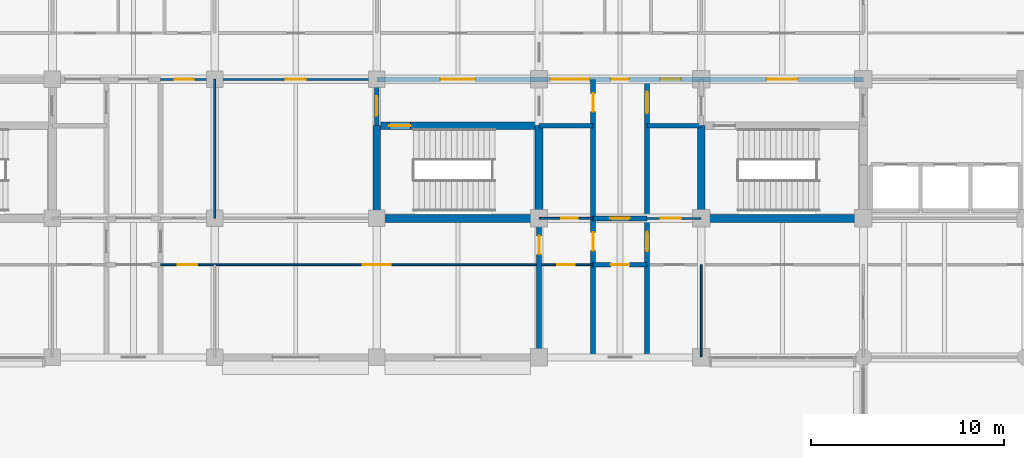
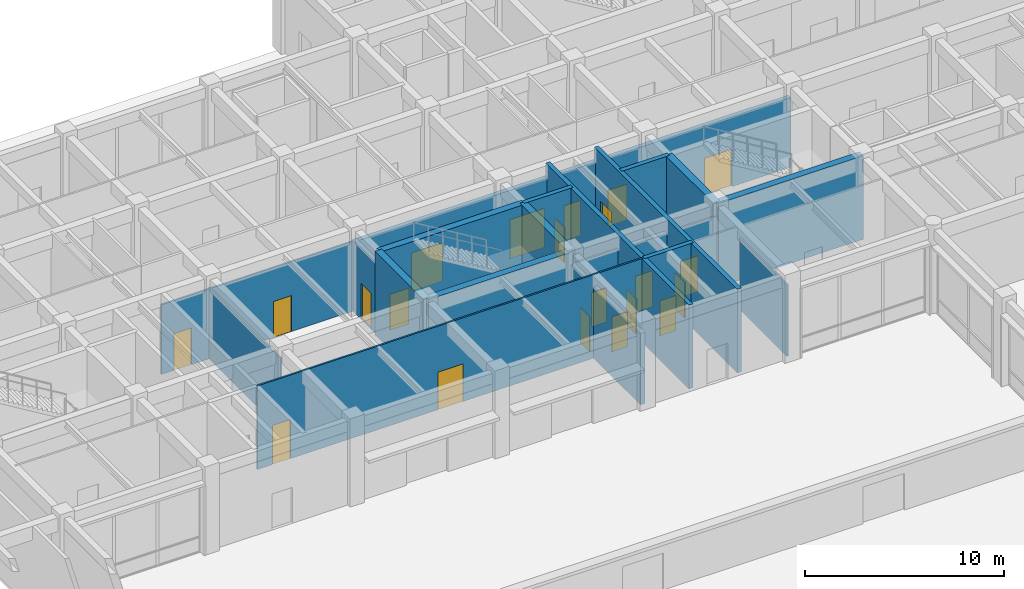
# One storey, part 42 of 73: 21 doors, 21 walls, 21 openings.
"""IFC4 building model written with IfcOpenShell, lengths in metres."""

from ifc_helpers import new_model, si_unit, direction, frame, frame_2d, origin, place, context, subcontext, project, spatial, rectangle, extrude, material, layer, layer_set, type_object, element, fill, save


model = new_model("IFC4")

# Units and contexts
model_context = context("Model", 3, precision=1e-05, world=origin(), true_north=direction((0.0, 1.0)))
body_context = subcontext(model_context, "Body", "Model", "MODEL_VIEW")
ifc_project = project(units=[si_unit("LENGTHUNIT", "METRE"), si_unit("AREAUNIT", "SQUARE_METRE"), si_unit("VOLUMEUNIT", "CUBIC_METRE"), si_unit("PLANEANGLEUNIT", "RADIAN"), si_unit("MASSUNIT", "GRAM", prefix="KILO")], contexts=[model_context])

# Site, building, storey
site_placement = place(None, origin())
site = spatial("IfcSite", under=ifc_project, at=site_placement, CompositionType="ELEMENT")
building_placement = place(site_placement, origin())
building = spatial("IfcBuilding", under=site, at=building_placement, Name="Chengyuan Square Courthouse", CompositionType="ELEMENT")
storey_placement = place(building_placement, origin())
storey = spatial("IfcBuildingStorey", under=building, at=storey_placement, Name="L01", CompositionType="ELEMENT", Elevation=0.0)

# Wall, opening, door
ifc_material_1 = material(Name="Concrete C40", Category="concrete")
ifc_layer_1 = layer(ifc_material_1, 0.25)
ifc_layer_set_1 = layer_set([ifc_layer_1], Name="Concrete C40")
wall_type_1 = type_object("IfcWallType", Name="WL-FW1", PredefinedType="STANDARD", material=ifc_layer_set_1)
wall_1_placement = place(storey_placement, frame((53.199951171875, 84.0, 0.0), z_axis=(0.0, 0.0, 1.0), x_axis=(1.0, 0.0, 0.0)))
wall_1 = element("IfcWall", 1, at=wall_1_placement, inside=storey, type_object=wall_type_1, Name="Interior Wall WL-L01-I674", PredefinedType="STANDARD", context=body_context, shape_type="SweptSolid", body=[
    extrude(rectangle(XDim=2.800048828125, YDim=0.25, at=frame_2d((1.39990234375, 0.0))), origin(), (0.0, 0.0, 1.0), 5.1201171875),
])
opening_1_placement = place(wall_1_placement, frame((0.925048828125, 0.0, 0.0)))
opening_1 = element("IfcOpeningElement", 2, at=opening_1_placement, cuts=wall_1, Name="Opening DR-919", PredefinedType="OPENING", context=body_context, shape_type="SweptSolid", body=[
    extrude(rectangle(XDim=0.949951171875, YDim=2.14990234375, at=frame_2d((0.47509765625, 1.074951171875))), frame((0.0, 0.136962890625, 0.0), z_axis=(0.0, -1.0, 0.0), x_axis=(1.0, 0.0, 0.0)), (0.0, 0.0, 1.0), 0.27392578125),
])
ifc_material_2 = material(Name="Steel Q235B Fire Door", Category="steel")
door_type_1 = type_object("IfcDoorType", Name="DT-12", OperationType="NOTDEFINED", PredefinedType="DOOR", material=ifc_material_2)
door_1_placement = place(opening_1_placement, origin())
door_1 = element("IfcDoor", 3, at=door_1_placement, inside=storey, type_object=door_type_1, Name="Interior Door DR-919", OperationType="SINGLE_SWING_RIGHT", OverallHeight=2.14990234375, OverallWidth=0.949951171875, PredefinedType="DOOR", context=body_context, shape_type="SweptSolid", body=[
    extrude(rectangle(XDim=0.949951171875, YDim=2.14990234375, at=frame_2d((0.47509765625, 1.074951171875))), frame((0.0, 0.02490234375, 0.0), z_axis=(0.0, -1.0, 0.0), x_axis=(1.0, 0.0, 0.0)), (0.0, 0.0, 1.0), 0.050048828125),
])
fill(opening_1, door_1)

wall_2_placement = place(storey_placement, frame((53.199951171875, 86.39990234375, 0.0), z_axis=(0.0, 0.0, 1.0), x_axis=(1.0, 0.0, 0.0)))
wall_2 = element("IfcWall", 4, at=wall_2_placement, inside=storey, type_object=wall_type_1, Name="Interior Wall WL-L01-I687", PredefinedType="STANDARD", context=body_context, shape_type="SweptSolid", body=[
    extrude(rectangle(XDim=2.800048828125, YDim=0.25, at=frame_2d((1.39990234375, 0.0))), origin(), (0.0, 0.0, 1.0), 4.27001953125),
])
opening_2_placement = place(wall_2_placement, frame((0.89990234375, 0.0, 0.0)))
opening_2 = element("IfcOpeningElement", 5, at=opening_2_placement, cuts=wall_2, Name="Opening DR-870", PredefinedType="OPENING", context=body_context, shape_type="SweptSolid", body=[
    extrude(rectangle(XDim=1.0, YDim=2.199951171875, at=frame_2d((0.5, 1.10009765625))), frame((0.0, 0.136962890625, 0.0), z_axis=(0.0, -1.0, 0.0), x_axis=(1.0, 0.0, 0.0)), (0.0, 0.0, 1.0), 0.27392578125),
])
door_type_2 = type_object("IfcDoorType", Name="DT-11", OperationType="NOTDEFINED", PredefinedType="DOOR", material=ifc_material_2)
door_2_placement = place(opening_2_placement, origin())
door_2 = element("IfcDoor", 6, at=door_2_placement, inside=storey, type_object=door_type_2, Name="Interior Door DR-870", OperationType="SINGLE_SWING_LEFT", OverallHeight=2.199951171875, OverallWidth=1.0, PredefinedType="DOOR", context=body_context, shape_type="SweptSolid", body=[
    extrude(rectangle(XDim=1.0, YDim=2.199951171875, at=frame_2d((0.5, 1.10009765625))), frame((0.0, 0.02490234375, 0.0), z_axis=(0.0, -1.0, 0.0), x_axis=(1.0, 0.0, 0.0)), (0.0, 0.0, 1.0), 0.050048828125),
])
fill(opening_2, door_2)

# Walls
for number, where, z_axis, x_axis, name in (
    (7, (50.39990234375, 91.199951171875, 0.0), (0.0, 0.0, 1.0), (1.0, 0.0, 0.0), "Interior Wall WL-L01-I715"),
    (8, (56.0, 91.199951171875, 0.0), (0.0, 0.0, 1.0), (1.0, 0.0, 0.0), "Interior Wall WL-L01-I716"),
):
    element("IfcWall", number, at=place(storey_placement, frame(where, z_axis=z_axis, x_axis=x_axis)), inside=storey, type_object=wall_type_1, Name=name, PredefinedType="STANDARD", context=body_context, shape_type="SweptSolid", body=[
        extrude(rectangle(XDim=2.800048828125, YDim=0.25, at=frame_2d((1.39990234375, 0.0))), origin(), (0.0, 0.0, 1.0), 5.1201171875),
    ])

# Wall, openings, doors
wall_3_placement = place(storey_placement, frame((42.0, 93.60009765625, 0.0), z_axis=(0.0, 0.0, 1.0), x_axis=(1.0, 0.0, 0.0)))
wall_3 = element("IfcWall", 9, at=wall_3_placement, inside=storey, type_object=wall_type_1, Name="Interior Wall WL-L01-I728", PredefinedType="STANDARD", context=body_context, shape_type="SweptSolid", body=[
    extrude(rectangle(XDim=25.199951171875, YDim=0.25, at=frame_2d((12.60009765625, 0.0))), origin(), (0.0, 0.0, 1.0), 4.27001953125),
])
opening_3_placement = place(wall_3_placement, frame((20.199951171875, 0.0, 0.0)))
opening_3 = element("IfcOpeningElement", 10, at=opening_3_placement, cuts=wall_3, Name="Opening DR-675", PredefinedType="OPENING", context=body_context, shape_type="SweptSolid", body=[
    extrude(rectangle(XDim=1.60009765625, YDim=2.300048828125, at=frame_2d((0.800048828125, 1.14990234375))), frame((0.0, 0.136962890625, 0.0), z_axis=(0.0, -1.0, 0.0), x_axis=(1.0, 0.0, 0.0)), (0.0, 0.0, 1.0), 0.27392578125),
])
opening_4_placement = place(wall_3_placement, frame((3.28759765625, 0.0, 0.0)))
opening_4 = element("IfcOpeningElement", 11, at=opening_4_placement, cuts=wall_3, Name="Opening DR-680", PredefinedType="OPENING", context=body_context, shape_type="SweptSolid", body=[
    extrude(rectangle(XDim=1.800048828125, YDim=2.35009765625, at=frame_2d((0.89990234375, 1.175048828125))), frame((0.0, 0.136962890625, 0.0), z_axis=(0.0, -1.0, 0.0), x_axis=(1.0, 0.0, 0.0)), (0.0, 0.0, 1.0), 0.27392578125),
])
opening_5_placement = place(wall_3_placement, frame((8.985107421875, 0.0, 0.0)))
opening_5 = element("IfcOpeningElement", 12, at=opening_5_placement, cuts=wall_3, Name="Opening DR-810", PredefinedType="OPENING", context=body_context, shape_type="SweptSolid", body=[
    extrude(rectangle(XDim=2.0, YDim=2.39990234375, at=frame_2d((1.0, 1.199951171875))), frame((0.0, 0.136962890625, 0.0), z_axis=(0.0, -1.0, 0.0), x_axis=(1.0, 0.0, 0.0)), (0.0, 0.0, 1.0), 0.27392578125),
])
opening_6_placement = place(wall_3_placement, frame((12.125, 0.0, 0.0)))
opening_6 = element("IfcOpeningElement", 13, at=opening_6_placement, cuts=wall_3, Name="Opening DR-811", PredefinedType="OPENING", context=body_context, shape_type="SweptSolid", body=[
    extrude(rectangle(XDim=0.949951171875, YDim=2.14990234375, at=frame_2d((0.47509765625, 1.074951171875))), frame((0.0, 0.136962890625, 0.0), z_axis=(0.0, -1.0, 0.0), x_axis=(1.0, 0.0, 0.0)), (0.0, 0.0, 1.0), 0.27392578125),
])
opening_7_placement = place(wall_3_placement, frame((14.6650390625, 0.0, 0.0)))
opening_7 = element("IfcOpeningElement", 14, at=opening_7_placement, cuts=wall_3, Name="Opening DR-812", PredefinedType="OPENING", context=body_context, shape_type="SweptSolid", body=[
    extrude(rectangle(XDim=1.10009765625, YDim=2.199951171875, at=frame_2d((0.550048828125, 1.10009765625))), frame((0.0, 0.136962890625, 0.0), z_axis=(0.0, -1.0, 0.0), x_axis=(1.0, 0.0, 0.0)), (0.0, 0.0, 1.0), 0.27392578125),
])
door_type_3 = type_object("IfcDoorType", Name="DT-10", OperationType="NOTDEFINED", PredefinedType="DOOR", material=ifc_material_2)
door_3_placement = place(opening_7_placement, origin())
door_3 = element("IfcDoor", 15, at=door_3_placement, inside=storey, type_object=door_type_3, Name="Interior Door DR-812", OperationType="SINGLE_SWING_RIGHT", OverallHeight=2.199951171875, OverallWidth=1.10009765625, PredefinedType="DOOR", context=body_context, shape_type="SweptSolid", body=[
    extrude(rectangle(XDim=1.10009765625, YDim=2.199951171875, at=frame_2d((0.550048828125, 1.10009765625))), frame((0.0, 0.02490234375, 0.0), z_axis=(0.0, -1.0, 0.0), x_axis=(1.0, 0.0, 0.0)), (0.0, 0.0, 1.0), 0.050048828125),
])
fill(opening_7, door_3)
door_4_placement = place(opening_6_placement, origin())
door_4 = element("IfcDoor", 16, at=door_4_placement, inside=storey, type_object=door_type_1, Name="Interior Door DR-811", OperationType="SINGLE_SWING_LEFT", OverallHeight=2.14990234375, OverallWidth=0.949951171875, PredefinedType="DOOR", context=body_context, shape_type="SweptSolid", body=[
    extrude(rectangle(XDim=0.949951171875, YDim=2.14990234375, at=frame_2d((0.47509765625, 1.074951171875))), frame((0.0, 0.02490234375, 0.0), z_axis=(0.0, -1.0, 0.0), x_axis=(1.0, 0.0, 0.0)), (0.0, 0.0, 1.0), 0.050048828125),
])
fill(opening_6, door_4)
ifc_material_3 = material(Name="Steel Q235B Glazed Fire Door", Category="steel")
door_type_4 = type_object("IfcDoorType", Name="DT-17", OperationType="DOUBLE_DOOR_SINGLE_SWING", PredefinedType="DOOR", material=ifc_material_3)
door_5_placement = place(opening_3_placement, frame((1.60009765625, 0.0, 0.0), z_axis=(0.0, 0.0, 1.0), x_axis=(-1.0, 0.0, 0.0)))
door_5 = element("IfcDoor", 17, at=door_5_placement, inside=storey, type_object=door_type_4, Name="Interior Door DR-675", OperationType="DOUBLE_DOOR_SINGLE_SWING", OverallHeight=2.300048828125, OverallWidth=1.60009765625, PredefinedType="DOOR", context=body_context, shape_type="SweptSolid", body=[
    extrude(rectangle(XDim=1.60009765625, YDim=2.300048828125, at=frame_2d((0.800048828125, 1.14990234375))), frame((0.0, 0.02490234375, 0.0), z_axis=(0.0, -1.0, 0.0), x_axis=(1.0, 0.0, 0.0)), (0.0, 0.0, 1.0), 0.050048828125),
])
fill(opening_3, door_5)
door_type_5 = type_object("IfcDoorType", Name="DT-18", OperationType="DOUBLE_DOOR_SINGLE_SWING", PredefinedType="DOOR", material=ifc_material_3)
door_6_placement = place(opening_4_placement, frame((1.800048828125, 0.0, 0.0), z_axis=(0.0, 0.0, 1.0), x_axis=(-1.0, 0.0, 0.0)))
door_6 = element("IfcDoor", 18, at=door_6_placement, inside=storey, type_object=door_type_5, Name="Interior Door DR-680", OperationType="DOUBLE_DOOR_SINGLE_SWING", OverallHeight=2.35009765625, OverallWidth=1.800048828125, PredefinedType="DOOR", context=body_context, shape_type="SweptSolid", body=[
    extrude(rectangle(XDim=1.800048828125, YDim=2.35009765625, at=frame_2d((0.89990234375, 1.175048828125))), frame((0.0, 0.02490234375, 0.0), z_axis=(0.0, -1.0, 0.0), x_axis=(1.0, 0.0, 0.0)), (0.0, 0.0, 1.0), 0.050048828125),
])
fill(opening_4, door_6)
door_type_6 = type_object("IfcDoorType", Name="DT-20", OperationType="DOUBLE_DOOR_SINGLE_SWING", PredefinedType="DOOR", material=ifc_material_3)
door_7_placement = place(opening_5_placement, frame((2.0, 0.0, 0.0), z_axis=(0.0, 0.0, 1.0), x_axis=(-1.0, 0.0, 0.0)))
door_7 = element("IfcDoor", 19, at=door_7_placement, inside=storey, type_object=door_type_6, Name="Interior Door DR-810", OperationType="DOUBLE_DOOR_SINGLE_SWING", OverallHeight=2.39990234375, OverallWidth=2.0, PredefinedType="DOOR", context=body_context, shape_type="SweptSolid", body=[
    extrude(rectangle(XDim=2.0, YDim=2.39990234375, at=frame_2d((1.0, 1.199951171875))), frame((0.0, 0.02490234375, 0.0), z_axis=(0.0, -1.0, 0.0), x_axis=(1.0, 0.0, 0.0)), (0.0, 0.0, 1.0), 0.050048828125),
])
fill(opening_5, door_7)

# Wall, opening, door
wall_4_placement = place(storey_placement, frame((42.0, 91.199951171875, 0.0), z_axis=(0.0, 0.0, 1.0), x_axis=(0.0, 1.0, 0.0)))
wall_4 = element("IfcWall", 20, at=wall_4_placement, inside=storey, type_object=wall_type_1, Name="Interior Wall WL-L01-I857", PredefinedType="STANDARD", context=body_context, shape_type="SweptSolid", body=[
    extrude(rectangle(XDim=2.400146484375, YDim=0.25, at=frame_2d((1.2001953125, 0.0))), origin(), (0.0, 0.0, 1.0), 4.3701171875),
])
opening_8_placement = place(wall_4_placement, frame((0.527587890625, 0.0, 0.0)))
opening_8 = element("IfcOpeningElement", 21, at=opening_8_placement, cuts=wall_4, Name="Opening DR-681", PredefinedType="OPENING", context=body_context, shape_type="SweptSolid", body=[
    extrude(rectangle(XDim=1.0, YDim=2.199951171875, at=frame_2d((0.5, 1.10009765625))), frame((0.0, 0.136962890625, 0.0), z_axis=(0.0, -1.0, 0.0), x_axis=(1.0, 0.0, 0.0)), (0.0, 0.0, 1.0), 0.27392578125),
])
door_8_placement = place(opening_8_placement, origin())
door_8 = element("IfcDoor", 22, at=door_8_placement, inside=storey, type_object=door_type_2, Name="Interior Door DR-681", OperationType="SINGLE_SWING_LEFT", OverallHeight=2.199951171875, OverallWidth=1.0, PredefinedType="DOOR", context=body_context, shape_type="SweptSolid", body=[
    extrude(rectangle(XDim=1.0, YDim=2.199951171875, at=frame_2d((0.5, 1.10009765625))), frame((0.0, 0.02490234375, 0.0), z_axis=(0.0, -1.0, 0.0), x_axis=(1.0, 0.0, 0.0)), (0.0, 0.0, 1.0), 0.050048828125),
])
fill(opening_8, door_8)

wall_5_placement = place(storey_placement, frame((50.39990234375, 79.239990234375, 0.0), z_axis=(0.0, 0.0, 1.0), x_axis=(0.0, 1.0, 0.0)))
wall_5 = element("IfcWall", 23, at=wall_5_placement, inside=storey, type_object=wall_type_1, Name="Interior Wall WL-L01-I865", PredefinedType="STANDARD", context=body_context, shape_type="SweptSolid", body=[
    extrude(rectangle(XDim=7.159912109375, YDim=0.25, at=frame_2d((3.580078125, 0.0))), origin(), (0.0, 0.0, 1.0), 4.3701171875),
])
opening_9_placement = place(wall_5_placement, frame((5.300048828125, 0.0, 0.0)))
opening_9 = element("IfcOpeningElement", 24, at=opening_9_placement, cuts=wall_5, Name="Opening DR-913", PredefinedType="OPENING", context=body_context, shape_type="SweptSolid", body=[
    extrude(rectangle(XDim=0.949951171875, YDim=2.14990234375, at=frame_2d((0.47509765625, 1.074951171875))), frame((0.0, 0.136962890625, 0.0), z_axis=(0.0, -1.0, 0.0), x_axis=(1.0, 0.0, 0.0)), (0.0, 0.0, 1.0), 0.27392578125),
])
door_9_placement = place(opening_9_placement, origin())
door_9 = element("IfcDoor", 25, at=door_9_placement, inside=storey, type_object=door_type_1, Name="Interior Door DR-913", OperationType="SINGLE_SWING_LEFT", OverallHeight=2.14990234375, OverallWidth=0.949951171875, PredefinedType="DOOR", context=body_context, shape_type="SweptSolid", body=[
    extrude(rectangle(XDim=0.949951171875, YDim=2.14990234375, at=frame_2d((0.47509765625, 1.074951171875))), frame((0.0, 0.02490234375, 0.0), z_axis=(0.0, -1.0, 0.0), x_axis=(1.0, 0.0, 0.0)), (0.0, 0.0, 1.0), 0.050048828125),
])
fill(opening_9, door_9)

# Wall, openings, doors
wall_6_placement = place(storey_placement, frame((53.199951171875, 79.239990234375, 0.0), z_axis=(0.0, 0.0, 1.0), x_axis=(0.0, 1.0, 0.0)))
wall_6 = element("IfcWall", 26, at=wall_6_placement, inside=storey, type_object=wall_type_1, Name="Interior Wall WL-L01-I870", PredefinedType="STANDARD", context=body_context, shape_type="SweptSolid", body=[
    extrude(rectangle(XDim=14.360107421875, YDim=0.25, at=frame_2d((7.18017578125, 0.0))), origin(), (0.0, 0.0, 1.0), 5.1201171875),
])
opening_10_placement = place(wall_6_placement, frame((12.68505859375, 0.0, 0.0)))
opening_10 = element("IfcOpeningElement", 27, at=opening_10_placement, cuts=wall_6, Name="Opening DR-868", PredefinedType="OPENING", context=body_context, shape_type="SweptSolid", body=[
    extrude(rectangle(XDim=0.949951171875, YDim=2.14990234375, at=frame_2d((0.47509765625, 1.074951171875))), frame((0.0, 0.136962890625, 0.0), z_axis=(0.0, -1.0, 0.0), x_axis=(1.0, 0.0, 0.0)), (0.0, 0.0, 1.0), 0.27392578125),
])
opening_11_placement = place(wall_6_placement, frame((5.485107421875, 0.0, 0.0)))
opening_11 = element("IfcOpeningElement", 28, at=opening_11_placement, cuts=wall_6, Name="Opening DR-916", PredefinedType="OPENING", context=body_context, shape_type="SweptSolid", body=[
    extrude(rectangle(XDim=0.949951171875, YDim=2.14990234375, at=frame_2d((0.47509765625, 1.074951171875))), frame((0.0, 0.136962890625, 0.0), z_axis=(0.0, -1.0, 0.0), x_axis=(1.0, 0.0, 0.0)), (0.0, 0.0, 1.0), 0.27392578125),
])
door_10_placement = place(opening_10_placement, origin())
door_10 = element("IfcDoor", 29, at=door_10_placement, inside=storey, type_object=door_type_1, Name="Interior Door DR-868", OperationType="SINGLE_SWING_LEFT", OverallHeight=2.14990234375, OverallWidth=0.949951171875, PredefinedType="DOOR", context=body_context, shape_type="SweptSolid", body=[
    extrude(rectangle(XDim=0.949951171875, YDim=2.14990234375, at=frame_2d((0.47509765625, 1.074951171875))), frame((0.0, 0.02490234375, 0.0), z_axis=(0.0, -1.0, 0.0), x_axis=(1.0, 0.0, 0.0)), (0.0, 0.0, 1.0), 0.050048828125),
])
fill(opening_10, door_10)
door_11_placement = place(opening_11_placement, origin())
door_11 = element("IfcDoor", 30, at=door_11_placement, inside=storey, type_object=door_type_1, Name="Interior Door DR-916", OperationType="SINGLE_SWING_LEFT", OverallHeight=2.14990234375, OverallWidth=0.949951171875, PredefinedType="DOOR", context=body_context, shape_type="SweptSolid", body=[
    extrude(rectangle(XDim=0.949951171875, YDim=2.14990234375, at=frame_2d((0.47509765625, 1.074951171875))), frame((0.0, 0.02490234375, 0.0), z_axis=(0.0, -1.0, 0.0), x_axis=(1.0, 0.0, 0.0)), (0.0, 0.0, 1.0), 0.050048828125),
])
fill(opening_11, door_11)

wall_7_placement = place(storey_placement, frame((56.0, 79.239990234375, 0.0), z_axis=(0.0, 0.0, 1.0), x_axis=(0.0, 1.0, 0.0)))
wall_7 = element("IfcWall", 31, at=wall_7_placement, inside=storey, type_object=wall_type_1, Name="Interior Wall WL-L01-I875", PredefinedType="STANDARD", context=body_context, shape_type="SweptSolid", body=[
    extrude(rectangle(XDim=14.360107421875, YDim=0.25, at=frame_2d((7.18017578125, 0.0))), origin(), (0.0, 0.0, 1.0), 5.1201171875),
])
opening_12_placement = place(wall_7_placement, frame((12.610107421875, 0.0, 0.0)))
opening_12 = element("IfcOpeningElement", 32, at=opening_12_placement, cuts=wall_7, Name="Opening DR-869", PredefinedType="OPENING", context=body_context, shape_type="SweptSolid", body=[
    extrude(rectangle(XDim=1.10009765625, YDim=2.199951171875, at=frame_2d((0.550048828125, 1.10009765625))), frame((0.0, 0.136962890625, 0.0), z_axis=(0.0, -1.0, 0.0), x_axis=(1.0, 0.0, 0.0)), (0.0, 0.0, 1.0), 0.27392578125),
])
opening_13_placement = place(wall_7_placement, frame((5.4599609375, 0.0, 0.0)))
opening_13 = element("IfcOpeningElement", 33, at=opening_13_placement, cuts=wall_7, Name="Opening DR-918", PredefinedType="OPENING", context=body_context, shape_type="SweptSolid", body=[
    extrude(rectangle(XDim=1.0, YDim=2.199951171875, at=frame_2d((0.5, 1.10009765625))), frame((0.0, 0.136962890625, 0.0), z_axis=(0.0, -1.0, 0.0), x_axis=(1.0, 0.0, 0.0)), (0.0, 0.0, 1.0), 0.27392578125),
])
door_12_placement = place(opening_12_placement, origin())
door_12 = element("IfcDoor", 34, at=door_12_placement, inside=storey, type_object=door_type_3, Name="Interior Door DR-869", OperationType="SINGLE_SWING_RIGHT", OverallHeight=2.199951171875, OverallWidth=1.10009765625, PredefinedType="DOOR", context=body_context, shape_type="SweptSolid", body=[
    extrude(rectangle(XDim=1.10009765625, YDim=2.199951171875, at=frame_2d((0.550048828125, 1.10009765625))), frame((0.0, 0.02490234375, 0.0), z_axis=(0.0, -1.0, 0.0), x_axis=(1.0, 0.0, 0.0)), (0.0, 0.0, 1.0), 0.050048828125),
])
fill(opening_12, door_12)
door_13_placement = place(opening_13_placement, origin())
door_13 = element("IfcDoor", 35, at=door_13_placement, inside=storey, type_object=door_type_2, Name="Interior Door DR-918", OperationType="SINGLE_SWING_LEFT", OverallHeight=2.199951171875, OverallWidth=1.0, PredefinedType="DOOR", context=body_context, shape_type="SweptSolid", body=[
    extrude(rectangle(XDim=1.0, YDim=2.199951171875, at=frame_2d((0.5, 1.10009765625))), frame((0.0, 0.02490234375, 0.0), z_axis=(0.0, -1.0, 0.0), x_axis=(1.0, 0.0, 0.0)), (0.0, 0.0, 1.0), 0.050048828125),
])
fill(opening_13, door_13)

ifc_material_4 = material(Name="Gypsum Plasterboard Acoustic Stud Partition")
ifc_layer_2 = layer(ifc_material_4, 0.10009765625)
ifc_layer_set_2 = layer_set([ifc_layer_2], Name="Gypsum Plasterboard Acoustic Stud Partition")
wall_type_2 = type_object("IfcWallType", Name="WL-PT6", PredefinedType="STANDARD", material=ifc_layer_set_2)
wall_8_placement = place(storey_placement, frame((30.800048828125, 84.0, 0.0), z_axis=(0.0, 0.0, 1.0), x_axis=(1.0, 0.0, 0.0)))
wall_8 = element("IfcWall", 36, at=wall_8_placement, inside=storey, type_object=wall_type_2, Name="Interior Wall WL-L01-I673", PredefinedType="STANDARD", context=body_context, shape_type="SweptSolid", body=[
    extrude(rectangle(XDim=22.39990234375, YDim=0.10009765625, at=frame_2d((11.199951171875, 0.0))), origin(), (0.0, 0.0, 1.0), 5.1201171875),
])
opening_14_placement = place(wall_8_placement, frame((0.889892578125, 0.0, 0.0)))
opening_14 = element("IfcOpeningElement", 37, at=opening_14_placement, cuts=wall_8, Name="Opening DR-914", PredefinedType="OPENING", context=body_context, shape_type="SweptSolid", body=[
    extrude(rectangle(XDim=1.02001953125, YDim=2.39990234375, at=frame_2d((0.510009765625, 1.199951171875))), frame((0.0, 0.06201171875, 0.0), z_axis=(0.0, -1.0, 0.0), x_axis=(1.0, 0.0, 0.0)), (0.0, 0.0, 1.0), 0.1240234375),
])
opening_15_placement = place(wall_8_placement, frame((10.47509765625, 0.0, 0.0)))
opening_15 = element("IfcOpeningElement", 38, at=opening_15_placement, cuts=wall_8, Name="Opening DR-915", PredefinedType="OPENING", context=body_context, shape_type="SweptSolid", body=[
    extrude(rectangle(XDim=1.449951171875, YDim=2.300048828125, at=frame_2d((0.72509765625, 1.14990234375))), frame((0.0, 0.06201171875, 0.0), z_axis=(0.0, -1.0, 0.0), x_axis=(1.0, 0.0, 0.0)), (0.0, 0.0, 1.0), 0.1240234375),
])
opening_16_placement = place(wall_8_placement, frame((20.550048828125, 0.0, 0.0)))
opening_16 = element("IfcOpeningElement", 39, at=opening_16_placement, cuts=wall_8, Name="Opening DR-917", PredefinedType="OPENING", context=body_context, shape_type="SweptSolid", body=[
    extrude(rectangle(XDim=0.89990234375, YDim=2.14990234375, at=frame_2d((0.449951171875, 1.074951171875))), frame((0.0, 0.06201171875, 0.0), z_axis=(0.0, -1.0, 0.0), x_axis=(1.0, 0.0, 0.0)), (0.0, 0.0, 1.0), 0.1240234375),
])
ifc_material_5 = material(Name="Acoustic Larch Veneer Double Door")
door_type_7 = type_object("IfcDoorType", Name="DT-25", OperationType="DOUBLE_DOOR_SINGLE_SWING", PredefinedType="DOOR", material=ifc_material_5)
door_14_placement = place(opening_15_placement, frame((1.449951171875, 0.0, 0.0), z_axis=(0.0, 0.0, 1.0), x_axis=(-1.0, 0.0, 0.0)))
door_14 = element("IfcDoor", 40, at=door_14_placement, inside=storey, type_object=door_type_7, Name="Interior Door DR-915", OperationType="DOUBLE_DOOR_SINGLE_SWING", OverallHeight=2.300048828125, OverallWidth=1.449951171875, PredefinedType="DOOR", context=body_context, shape_type="SweptSolid", body=[
    extrude(rectangle(XDim=1.449951171875, YDim=2.300048828125, at=frame_2d((0.72509765625, 1.14990234375))), frame((0.0, 0.02490234375, 0.0), z_axis=(0.0, -1.0, 0.0), x_axis=(1.0, 0.0, 0.0)), (0.0, 0.0, 1.0), 0.050048828125),
])
fill(opening_15, door_14)
ifc_material_6 = material(Name="Acoustic Solid-Core Timber Door", Category="wood")
door_type_8 = type_object("IfcDoorType", Name="DT-27", OperationType="NOTDEFINED", PredefinedType="DOOR", material=ifc_material_6)
door_15_placement = place(opening_16_placement, origin())
door_15 = element("IfcDoor", 41, at=door_15_placement, inside=storey, type_object=door_type_8, Name="Interior Door DR-917", OperationType="SINGLE_SWING_RIGHT", OverallHeight=2.14990234375, OverallWidth=0.89990234375, PredefinedType="DOOR", context=body_context, shape_type="SweptSolid", body=[
    extrude(rectangle(XDim=0.89990234375, YDim=2.14990234375, at=frame_2d((0.449951171875, 1.074951171875))), frame((0.0, 0.02490234375, 0.0), z_axis=(0.0, -1.0, 0.0), x_axis=(1.0, 0.0, 0.0)), (0.0, 0.0, 1.0), 0.050048828125),
])
fill(opening_16, door_15)
door_type_9 = type_object("IfcDoorType", Name="DT-41", OperationType="NOTDEFINED", PredefinedType="DOOR", material=ifc_material_6)
door_16_placement = place(opening_14_placement, origin())
door_16 = element("IfcDoor", 42, at=door_16_placement, inside=storey, type_object=door_type_9, Name="Interior Door DR-914", OperationType="SINGLE_SWING_RIGHT", OverallHeight=2.39990234375, OverallWidth=1.02001953125, PredefinedType="DOOR", context=body_context, shape_type="SweptSolid", body=[
    extrude(rectangle(XDim=1.02001953125, YDim=2.39990234375, at=frame_2d((0.510009765625, 1.199951171875))), frame((0.0, 0.02490234375, 0.0), z_axis=(0.0, -1.0, 0.0), x_axis=(1.0, 0.0, 0.0)), (0.0, 0.0, 1.0), 0.050048828125),
])
fill(opening_14, door_16)

# Wall, opening, door
wall_9_placement = place(storey_placement, frame((50.39990234375, 86.39990234375, 0.0), z_axis=(0.0, 0.0, 1.0), x_axis=(1.0, 0.0, 0.0)))
wall_9 = element("IfcWall", 43, at=wall_9_placement, inside=storey, type_object=wall_type_2, Name="Interior Wall WL-L01-I686", PredefinedType="STANDARD", context=body_context, shape_type="SweptSolid", body=[
    extrude(rectangle(XDim=2.800048828125, YDim=0.10009765625, at=frame_2d((1.39990234375, 0.0))), origin(), (0.0, 0.0, 1.0), 4.27001953125),
])
opening_17_placement = place(wall_9_placement, frame((1.155029296875, 0.0, 0.0)))
opening_17 = element("IfcOpeningElement", 44, at=opening_17_placement, cuts=wall_9, Name="Opening DR-867", PredefinedType="OPENING", context=body_context, shape_type="SweptSolid", body=[
    extrude(rectangle(XDim=0.860107421875, YDim=2.10009765625, at=frame_2d((0.43017578125, 1.050048828125))), frame((0.0, 0.06201171875, 0.0), z_axis=(0.0, -1.0, 0.0), x_axis=(1.0, 0.0, 0.0)), (0.0, 0.0, 1.0), 0.1240234375),
])
door_type_10 = type_object("IfcDoorType", Name="DT-28", OperationType="NOTDEFINED", PredefinedType="DOOR", material=ifc_material_6)
door_17_placement = place(opening_17_placement, origin())
door_17 = element("IfcDoor", 45, at=door_17_placement, inside=storey, type_object=door_type_10, Name="Interior Door DR-867", OperationType="SINGLE_SWING_RIGHT", OverallHeight=2.10009765625, OverallWidth=0.860107421875, PredefinedType="DOOR", context=body_context, shape_type="SweptSolid", body=[
    extrude(rectangle(XDim=0.860107421875, YDim=2.10009765625, at=frame_2d((0.43017578125, 1.050048828125))), frame((0.0, 0.02490234375, 0.0), z_axis=(0.0, -1.0, 0.0), x_axis=(1.0, 0.0, 0.0)), (0.0, 0.0, 1.0), 0.050048828125),
])
fill(opening_17, door_17)

wall_10_placement = place(storey_placement, frame((56.0, 86.39990234375, 0.0), z_axis=(0.0, 0.0, 1.0), x_axis=(1.0, 0.0, 0.0)))
wall_10 = element("IfcWall", 46, at=wall_10_placement, inside=storey, type_object=wall_type_2, Name="Interior Wall WL-L01-I688", PredefinedType="STANDARD", context=body_context, shape_type="SweptSolid", body=[
    extrude(rectangle(XDim=2.800048828125, YDim=0.10009765625, at=frame_2d((1.39990234375, 0.0))), origin(), (0.0, 0.0, 1.0), 4.27001953125),
])
opening_18_placement = place(wall_10_placement, frame((0.695068359375, 0.0, 0.0)))
opening_18 = element("IfcOpeningElement", 47, at=opening_18_placement, cuts=wall_10, Name="Opening DR-871", PredefinedType="OPENING", context=body_context, shape_type="SweptSolid", body=[
    extrude(rectangle(XDim=1.0400390625, YDim=2.199951171875, at=frame_2d((0.52001953125, 1.10009765625))), frame((0.0, 0.06201171875, 0.0), z_axis=(0.0, -1.0, 0.0), x_axis=(1.0, 0.0, 0.0)), (0.0, 0.0, 1.0), 0.1240234375),
])
door_type_11 = type_object("IfcDoorType", Name="DT-32", OperationType="NOTDEFINED", PredefinedType="DOOR", material=ifc_material_6)
door_18_placement = place(opening_18_placement, origin())
door_18 = element("IfcDoor", 48, at=door_18_placement, inside=storey, type_object=door_type_11, Name="Interior Door DR-871", OperationType="SINGLE_SWING_RIGHT", OverallHeight=2.199951171875, OverallWidth=1.0400390625, PredefinedType="DOOR", context=body_context, shape_type="SweptSolid", body=[
    extrude(rectangle(XDim=1.0400390625, YDim=2.199951171875, at=frame_2d((0.52001953125, 1.10009765625))), frame((0.0, 0.02490234375, 0.0), z_axis=(0.0, -1.0, 0.0), x_axis=(1.0, 0.0, 0.0)), (0.0, 0.0, 1.0), 0.050048828125),
])
fill(opening_18, door_18)

# Wall, openings, doors
wall_11_placement = place(storey_placement, frame((30.800048828125, 93.60009765625, 0.0), z_axis=(0.0, 0.0, 1.0), x_axis=(1.0, 0.0, 0.0)))
wall_11 = element("IfcWall", 49, at=wall_11_placement, inside=storey, type_object=wall_type_2, Name="Interior Wall WL-L01-I727", PredefinedType="STANDARD", context=body_context, shape_type="SweptSolid", body=[
    extrude(rectangle(XDim=11.199951171875, YDim=0.10009765625, at=frame_2d((5.60009765625, 0.0))), origin(), (0.0, 0.0, 1.0), 4.27001953125),
])
opening_19_placement = place(wall_11_placement, frame((0.7275390625, 0.0, 0.0)))
opening_19 = element("IfcOpeningElement", 50, at=opening_19_placement, cuts=wall_11, Name="Opening DR-802", PredefinedType="OPENING", context=body_context, shape_type="SweptSolid", body=[
    extrude(rectangle(XDim=1.0, YDim=2.25, at=frame_2d((0.5, 1.125))), frame((0.0, 0.06201171875, 0.0), z_axis=(0.0, -1.0, 0.0), x_axis=(1.0, 0.0, 0.0)), (0.0, 0.0, 1.0), 0.1240234375),
])
opening_20_placement = place(wall_11_placement, frame((6.47998046875, 0.0, 0.0)))
opening_20 = element("IfcOpeningElement", 51, at=opening_20_placement, cuts=wall_11, Name="Opening DR-803", PredefinedType="OPENING", context=body_context, shape_type="SweptSolid", body=[
    extrude(rectangle(XDim=1.0400390625, YDim=2.199951171875, at=frame_2d((0.52001953125, 1.10009765625))), frame((0.0, 0.06201171875, 0.0), z_axis=(0.0, -1.0, 0.0), x_axis=(1.0, 0.0, 0.0)), (0.0, 0.0, 1.0), 0.1240234375),
])
door_type_12 = type_object("IfcDoorType", Name="DT-31", OperationType="NOTDEFINED", PredefinedType="DOOR", material=ifc_material_6)
door_19_placement = place(opening_19_placement, origin())
door_19 = element("IfcDoor", 52, at=door_19_placement, inside=storey, type_object=door_type_12, Name="Interior Door DR-802", OperationType="SINGLE_SWING_RIGHT", OverallHeight=2.25, OverallWidth=1.0, PredefinedType="DOOR", context=body_context, shape_type="SweptSolid", body=[
    extrude(rectangle(XDim=1.0, YDim=2.25, at=frame_2d((0.5, 1.125))), frame((0.0, 0.02490234375, 0.0), z_axis=(0.0, -1.0, 0.0), x_axis=(1.0, 0.0, 0.0)), (0.0, 0.0, 1.0), 0.050048828125),
])
fill(opening_19, door_19)
door_20_placement = place(opening_20_placement, origin())
door_20 = element("IfcDoor", 53, at=door_20_placement, inside=storey, type_object=door_type_11, Name="Interior Door DR-803", OperationType="SINGLE_SWING_LEFT", OverallHeight=2.199951171875, OverallWidth=1.0400390625, PredefinedType="DOOR", context=body_context, shape_type="SweptSolid", body=[
    extrude(rectangle(XDim=1.0400390625, YDim=2.199951171875, at=frame_2d((0.52001953125, 1.10009765625))), frame((0.0, 0.02490234375, 0.0), z_axis=(0.0, -1.0, 0.0), x_axis=(1.0, 0.0, 0.0)), (0.0, 0.0, 1.0), 0.050048828125),
])
fill(opening_20, door_20)

# Walls
wall_12_placement = place(storey_placement, frame((33.60009765625, 86.39990234375, 0.0), z_axis=(0.0, 0.0, 1.0), x_axis=(0.0, 1.0, 0.0)))
element("IfcWall", 54, at=wall_12_placement, inside=storey, type_object=wall_type_2, Name="Interior Wall WL-L01-I853", PredefinedType="STANDARD", context=body_context, shape_type="SweptSolid", body=[
    extrude(rectangle(XDim=7.2001953125, YDim=0.10009765625, at=frame_2d((3.60009765625, 0.0))), origin(), (0.0, 0.0, 1.0), 4.3701171875),
])
wall_13_placement = place(storey_placement, frame((58.800048828125, 79.239990234375, 0.0), z_axis=(0.0, 0.0, 1.0), x_axis=(0.0, 1.0, 0.0)))
element("IfcWall", 55, at=wall_13_placement, inside=storey, type_object=wall_type_2, Name="Interior Wall WL-L01-I878", PredefinedType="STANDARD", context=body_context, shape_type="SweptSolid", body=[
    extrude(rectangle(XDim=4.760009765625, YDim=0.10009765625, at=frame_2d((2.3798828125, 0.0))), origin(), (0.0, 0.0, 1.0), 4.3701171875),
])
ifc_material_7 = material(Name="Concrete C50", Category="concrete")
ifc_layer_3 = layer(ifc_material_7, 0.39990234375)
ifc_layer_set_3 = layer_set([ifc_layer_3], Name="Concrete C50")
wall_type_3 = type_object("IfcWallType", Name="WL-SW1", PredefinedType="SHEAR", material=ifc_layer_set_3)
for number, where, z_axis, x_axis, name in (
    (56, (42.0, 86.39990234375, 0.0), (0.0, 0.0, 1.0), (1.0, 0.0, 0.0), "Interior Wall WL-L01-I685"),
    (57, (58.800048828125, 86.39990234375, 0.0), (0.0, 0.0, 1.0), (1.0, 0.0, 0.0), "Interior Wall WL-L01-I689"),
):
    element("IfcWall", number, at=place(storey_placement, frame(where, z_axis=z_axis, x_axis=x_axis)), inside=storey, type_object=wall_type_3, Name=name, PredefinedType="SHEAR", context=body_context, shape_type="SweptSolid", body=[
        extrude(rectangle(XDim=8.39990234375, YDim=0.39990234375, at=frame_2d((4.199951171875, 0.0))), origin(), (0.0, 0.0, 1.0), 5.1201171875),
    ])

# Wall, opening, door
wall_14_placement = place(storey_placement, frame((42.0, 91.199951171875, 0.0), z_axis=(0.0, 0.0, 1.0), x_axis=(1.0, 0.0, 0.0)))
wall_14 = element("IfcWall", 58, at=wall_14_placement, inside=storey, type_object=wall_type_3, Name="Interior Wall WL-L01-I714", PredefinedType="SHEAR", context=body_context, shape_type="SweptSolid", body=[
    extrude(rectangle(XDim=8.39990234375, YDim=0.39990234375, at=frame_2d((4.199951171875, 0.0))), origin(), (0.0, 0.0, 1.0), 5.1201171875),
])
opening_21_placement = place(wall_14_placement, frame((0.64990234375, 0.0, 0.0)))
opening_21 = element("IfcOpeningElement", 59, at=opening_21_placement, cuts=wall_14, Name="Opening DR-662", PredefinedType="OPENING", context=body_context, shape_type="SweptSolid", body=[
    extrude(rectangle(XDim=1.10009765625, YDim=2.199951171875, at=frame_2d((0.550048828125, 1.10009765625))), frame((0.0, 0.2119140625, 0.0), z_axis=(0.0, -1.0, 0.0), x_axis=(1.0, 0.0, 0.0)), (0.0, 0.0, 1.0), 0.423828125),
])
door_21_placement = place(opening_21_placement, origin())
door_21 = element("IfcDoor", 60, at=door_21_placement, inside=storey, type_object=door_type_3, Name="Smoke-Proof Stairwell Fire Door ST-5 DR-662", OperationType="SINGLE_SWING_LEFT", OverallHeight=2.199951171875, OverallWidth=1.10009765625, PredefinedType="DOOR", context=body_context, shape_type="SweptSolid", body=[
    extrude(rectangle(XDim=1.10009765625, YDim=2.199951171875, at=frame_2d((0.550048828125, 1.10009765625))), frame((0.0, 0.02490234375, 0.0), z_axis=(0.0, -1.0, 0.0), x_axis=(1.0, 0.0, 0.0)), (0.0, 0.0, 1.0), 0.050048828125),
])
fill(opening_21, door_21)

# Walls
for number, where, z_axis, x_axis, name in (
    (61, (42.0, 86.39990234375, 0.0), (0.0, 0.0, 1.0), (0.0, 1.0, 0.0), "Interior Wall WL-L01-I856"),
    (62, (50.39990234375, 86.39990234375, 0.0), (0.0, 0.0, 1.0), (0.0, 1.0, 0.0), "Interior Wall WL-L01-I866"),
    (63, (58.800048828125, 86.39990234375, 0.0), (0.0, 0.0, 1.0), (0.0, 1.0, 0.0), "Interior Wall WL-L01-I879"),
):
    element("IfcWall", number, at=place(storey_placement, frame(where, z_axis=z_axis, x_axis=x_axis)), inside=storey, type_object=wall_type_3, Name=name, PredefinedType="SHEAR", context=body_context, shape_type="SweptSolid", body=[
        extrude(rectangle(XDim=4.800048828125, YDim=0.39990234375, at=frame_2d((2.39990234375, 0.0))), origin(), (0.0, 0.0, 1.0), 5.1201171875),
    ])

save(model, "model.ifc")
